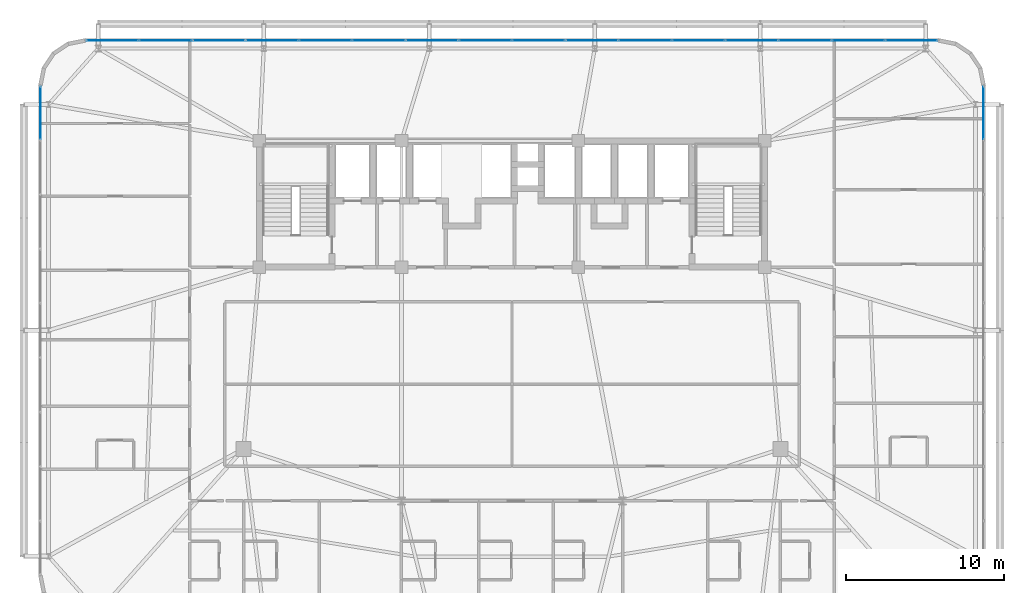
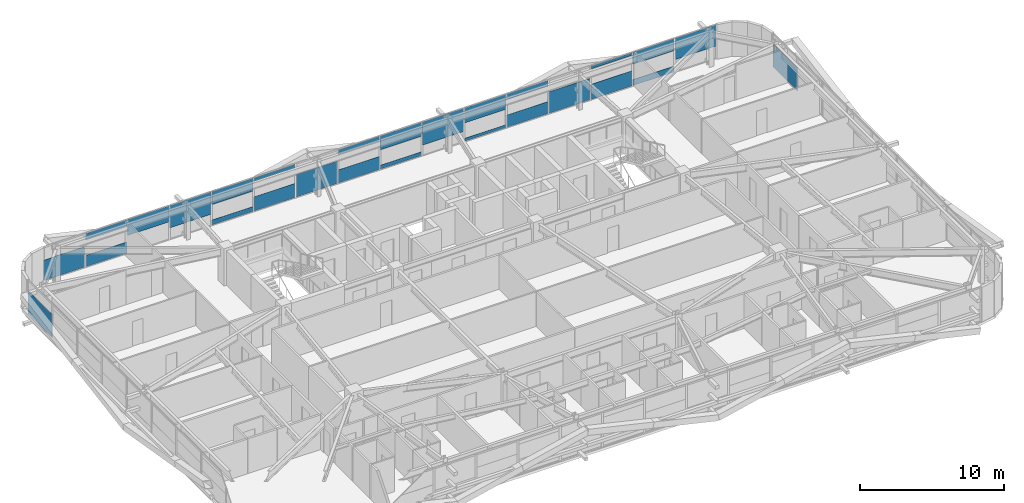
# One storey, part 43 of 59: 27 plates, 3 elements without a shape of their own.
"""IFC4 building model written with IfcOpenShell, lengths in metres."""

from ifc_helpers import new_model, si_unit, direction, frame, origin, origin_2d, place, context, subcontext, project, spatial, rectangle, extrude, source, transform, mapped, material, layer, layer_set, type_object, element, aggregate, save


model = new_model("IFC4")

# Units and contexts
model_context = context("Model", 3, precision=1e-05, world=origin(), true_north=direction((0.0, 1.0)))
body_context = subcontext(model_context, "Body", "Model", "MODEL_VIEW")
ifc_project = project(units=[si_unit("LENGTHUNIT", "METRE"), si_unit("AREAUNIT", "SQUARE_METRE"), si_unit("VOLUMEUNIT", "CUBIC_METRE"), si_unit("PLANEANGLEUNIT", "RADIAN"), si_unit("MASSUNIT", "GRAM", prefix="KILO")], contexts=[model_context])

# Site, building, storey
site_placement = place(None, origin())
site = spatial("IfcSite", under=ifc_project, at=site_placement, CompositionType="ELEMENT")
building_placement = place(site_placement, origin())
building = spatial("IfcBuilding", under=site, at=building_placement, Name="Taldren Reach Tower", CompositionType="ELEMENT")
storey_placement = place(building_placement, frame((0.0, 0.0, 19.949951171875)))
storey = spatial("IfcBuildingStorey", under=building, at=storey_placement, Name="L05", CompositionType="ELEMENT", Elevation=19.949951171875)

# Curtain wall, plates
ifc_material_1 = material(Name="Aluminium and Low-E Glass Unitised System", Category="aluminium")
ifc_layer_1 = layer(ifc_material_1, 0.159912109375)
ifc_layer_set_1 = layer_set([ifc_layer_1], Name="Aluminium and Low-E Glass Unitised System")
curtain_wall_type = type_object("IfcCurtainWallType", Name="CW-SYS-2", PredefinedType="NOTDEFINED", material=ifc_layer_set_1)
curtain_wall_1_placement = place(storey_placement, origin())
curtain_wall_1 = element("IfcCurtainWall", 1, at=curtain_wall_1_placement, inside=storey, type_object=curtain_wall_type, Name="Unitised curtain wall CW-L05-N", PredefinedType="NOTDEFINED")
ifc_material_2 = material(Name="Solar-Control Double Glazed IGU", Category="glass")
ifc_layer_2 = layer(ifc_material_2, 0.031982421875)
ifc_layer_set_2 = layer_set([ifc_layer_2], Name="Solar-Control Double Glazed IGU")
plate_type = type_object("IfcPlateType", Name="CW-PNL-IGU32", PredefinedType="CURTAIN_PANEL", material=ifc_layer_set_2)
shared_shape_1 = source(origin(), body_context, "Body", "SweptSolid", [
    extrude(rectangle(XDim=3.277587890625, YDim=0.031982421875, at=origin_2d()), origin(), (0.0, 0.0, 1.0), 1.73876953125),
])
plate_1_placement = place(storey_placement, frame((9.703857421875, 38.360107421875, 0.054931640625), z_axis=(0.0, 0.0, 1.0), x_axis=(-1.0, 0.0, 0.0)))
plate_1 = element("IfcPlate", 2, at=plate_1_placement, type_object=plate_type, Name="CW-2 panel 16.1 part 1", PredefinedType="CURTAIN_PANEL", context=body_context, shape_type="MappedRepresentation", body=[
    mapped(shared_shape_1, transform((0.0, 0.0, 0.0), scale=1.0)),
])
shared_shape_2 = source(origin(), body_context, "Body", "SweptSolid", [
    extrude(rectangle(XDim=3.31005859375, YDim=0.031982421875, at=origin_2d()), origin(), (0.0, 0.0, 1.0), 0.9560546875),
])
plate_2_placement = place(storey_placement, frame((13.0625, 38.360107421875, 0.05517578125), z_axis=(0.0, 0.0, 1.0), x_axis=(-1.0, 0.0, 0.0)))
plate_2 = element("IfcPlate", 3, at=plate_2_placement, type_object=plate_type, Name="CW-2 panel 15.1 part 1", PredefinedType="CURTAIN_PANEL", context=body_context, shape_type="MappedRepresentation", body=[
    mapped(shared_shape_2, transform((0.0, 0.0, 0.0), scale=1.0)),
])
shared_shape_3 = source(origin(), body_context, "Body", "SweptSolid", [
    extrude(rectangle(XDim=3.31005859375, YDim=0.031982421875, at=origin_2d()), origin(), (0.0, 0.0, 1.0), 0.562744140625),
])
plate_3_placement = place(storey_placement, frame((13.0625, 38.360107421875, 2.3125), z_axis=(0.0, 0.0, 1.0), x_axis=(-1.0, 0.0, 0.0)))
plate_3 = element("IfcPlate", 4, at=plate_3_placement, type_object=plate_type, Name="CW-2 panel 15.1 part 2", PredefinedType="CURTAIN_PANEL", context=body_context, shape_type="MappedRepresentation", body=[
    mapped(shared_shape_3, transform((0.0, 0.0, 0.0), scale=1.0)),
])
shared_shape_4 = source(origin(), body_context, "Body", "SweptSolid", [
    extrude(rectangle(XDim=3.31005859375, YDim=0.031982421875, at=origin_2d()), origin(), (0.0, 0.0, 1.0), 1.345458984375),
])
plate_4_placement = place(storey_placement, frame((16.4375, 38.360107421875, 1.52978515625), z_axis=(0.0, 0.0, 1.0), x_axis=(-1.0, 0.0, 0.0)))
plate_4 = element("IfcPlate", 5, at=plate_4_placement, type_object=plate_type, Name="CW-2 panel 14.1 part 1", PredefinedType="CURTAIN_PANEL", context=body_context, shape_type="MappedRepresentation", body=[
    mapped(shared_shape_4, transform((0.0, 0.0, 0.0), scale=1.0)),
])
shared_shape_5 = source(origin(), body_context, "Body", "SweptSolid", [
    extrude(rectangle(XDim=3.31005859375, YDim=0.031982421875, at=origin_2d()), origin(), (0.0, 0.0, 1.0), 1.881103515625),
])
plate_5_placement = place(storey_placement, frame((19.8125, 38.360107421875, 0.994140625), z_axis=(0.0, 0.0, 1.0), x_axis=(-1.0, 0.0, 0.0)))
plate_5 = element("IfcPlate", 6, at=plate_5_placement, type_object=plate_type, Name="CW-2 panel 13.1 part 1", PredefinedType="CURTAIN_PANEL", context=body_context, shape_type="MappedRepresentation", body=[
    mapped(shared_shape_5, transform((0.0, 0.0, 0.0), scale=1.0)),
])
shared_shape_6 = source(origin(), body_context, "Body", "SweptSolid", [
    extrude(rectangle(XDim=3.31005859375, YDim=0.031982421875, at=origin_2d()), origin(), (0.0, 0.0, 1.0), 0.42041015625),
])
plate_6_placement = place(storey_placement, frame((23.1875, 38.360107421875, 0.05517578125), z_axis=(0.0, 0.0, 1.0), x_axis=(-1.0, 0.0, 0.0)))
plate_6 = element("IfcPlate", 7, at=plate_6_placement, type_object=plate_type, Name="CW-2 panel 12.1 part 1", PredefinedType="CURTAIN_PANEL", context=body_context, shape_type="MappedRepresentation", body=[
    mapped(shared_shape_6, transform((0.0, 0.0, 0.0), scale=1.0)),
])
shared_shape_7 = source(origin(), body_context, "Body", "SweptSolid", [
    extrude(rectangle(XDim=3.31005859375, YDim=0.031982421875, at=origin_2d()), origin(), (0.0, 0.0, 1.0), 1.098388671875),
])
plate_7_placement = place(storey_placement, frame((23.1875, 38.360107421875, 1.77685546875), z_axis=(0.0, 0.0, 1.0), x_axis=(-1.0, 0.0, 0.0)))
plate_7 = element("IfcPlate", 8, at=plate_7_placement, type_object=plate_type, Name="CW-2 panel 12.1 part 2", PredefinedType="CURTAIN_PANEL", context=body_context, shape_type="MappedRepresentation", body=[
    mapped(shared_shape_7, transform((0.0, 0.0, 0.0), scale=1.0)),
])
shared_shape_8 = source(origin(), body_context, "Body", "SweptSolid", [
    extrude(rectangle(XDim=3.31005859375, YDim=0.031982421875, at=origin_2d()), origin(), (0.0, 0.0, 1.0), 1.203125),
])
plate_8_placement = place(storey_placement, frame((26.5625, 38.360107421875, 0.054931640625), z_axis=(0.0, 0.0, 1.0), x_axis=(-1.0, 0.0, 0.0)))
plate_8 = element("IfcPlate", 9, at=plate_8_placement, type_object=plate_type, Name="CW-2 panel 11.1 part 1", PredefinedType="CURTAIN_PANEL", context=body_context, shape_type="MappedRepresentation", body=[
    mapped(shared_shape_8, transform((0.0, 0.0, 0.0), scale=1.0)),
])
shared_shape_9 = source(origin(), body_context, "Body", "SweptSolid", [
    extrude(rectangle(XDim=3.31005859375, YDim=0.031982421875, at=origin_2d()), origin(), (0.0, 0.0, 1.0), 0.31591796875),
])
plate_9_placement = place(storey_placement, frame((26.5625, 38.360107421875, 2.55908203125), z_axis=(0.0, 0.0, 1.0), x_axis=(-1.0, 0.0, 0.0)))
plate_9 = element("IfcPlate", 10, at=plate_9_placement, type_object=plate_type, Name="CW-2 panel 11.1 part 2", PredefinedType="CURTAIN_PANEL", context=body_context, shape_type="MappedRepresentation", body=[
    mapped(shared_shape_9, transform((0.0, 0.0, 0.0), scale=1.0)),
])
shared_shape_10 = source(origin(), body_context, "Body", "SweptSolid", [
    extrude(rectangle(XDim=3.31005859375, YDim=0.031982421875, at=origin_2d()), origin(), (0.0, 0.0, 1.0), 1.9033203125),
])
plate_10_placement = place(storey_placement, frame((29.9375, 38.360107421875, 0.05517578125), z_axis=(0.0, 0.0, 1.0), x_axis=(-1.0, 0.0, 0.0)))
plate_10 = element("IfcPlate", 11, at=plate_10_placement, type_object=plate_type, Name="CW-2 panel 10.1 part 1", PredefinedType="CURTAIN_PANEL", context=body_context, shape_type="MappedRepresentation", body=[
    mapped(shared_shape_10, transform((0.0, 0.0, 0.0), scale=1.0)),
])
shared_shape_11 = source(origin(), body_context, "Body", "SweptSolid", [
    extrude(rectangle(XDim=3.31005859375, YDim=0.031982421875, at=origin_2d()), origin(), (0.0, 0.0, 1.0), 1.120849609375),
])
plate_11_placement = place(storey_placement, frame((33.3125, 38.360107421875, 0.05517578125), z_axis=(0.0, 0.0, 1.0), x_axis=(-1.0, 0.0, 0.0)))
plate_11 = element("IfcPlate", 12, at=plate_11_placement, type_object=plate_type, Name="CW-2 panel 9.1 part 1", PredefinedType="CURTAIN_PANEL", context=body_context, shape_type="MappedRepresentation", body=[
    mapped(shared_shape_11, transform((0.0, 0.0, 0.0), scale=1.0)),
])
shared_shape_12 = source(origin(), body_context, "Body", "SweptSolid", [
    extrude(rectangle(XDim=3.31005859375, YDim=0.031982421875, at=origin_2d()), origin(), (0.0, 0.0, 1.0), 0.398193359375),
])
plate_12_placement = place(storey_placement, frame((33.3125, 38.360107421875, 2.47705078125), z_axis=(0.0, 0.0, 1.0), x_axis=(-1.0, 0.0, 0.0)))
plate_12 = element("IfcPlate", 13, at=plate_12_placement, type_object=plate_type, Name="CW-2 panel 9.1 part 2", PredefinedType="CURTAIN_PANEL", context=body_context, shape_type="MappedRepresentation", body=[
    mapped(shared_shape_12, transform((0.0, 0.0, 0.0), scale=1.0)),
])
shared_shape_13 = source(origin(), body_context, "Body", "SweptSolid", [
    extrude(rectangle(XDim=3.31005859375, YDim=0.031982421875, at=origin_2d()), origin(), (0.0, 0.0, 1.0), 0.338134765625),
])
plate_13_placement = place(storey_placement, frame((36.6875, 38.360107421875, 0.05517578125), z_axis=(0.0, 0.0, 1.0), x_axis=(-1.0, 0.0, 0.0)))
plate_13 = element("IfcPlate", 14, at=plate_13_placement, type_object=plate_type, Name="CW-2 panel 8.1 part 1", PredefinedType="CURTAIN_PANEL", context=body_context, shape_type="MappedRepresentation", body=[
    mapped(shared_shape_13, transform((0.0, 0.0, 0.0), scale=1.0)),
])
shared_shape_14 = source(origin(), body_context, "Body", "SweptSolid", [
    extrude(rectangle(XDim=3.31005859375, YDim=0.031982421875, at=origin_2d()), origin(), (0.0, 0.0, 1.0), 1.1806640625),
])
plate_14_placement = place(storey_placement, frame((36.6875, 38.360107421875, 1.6943359375), z_axis=(0.0, 0.0, 1.0), x_axis=(-1.0, 0.0, 0.0)))
plate_14 = element("IfcPlate", 15, at=plate_14_placement, type_object=plate_type, Name="CW-2 panel 8.1 part 2", PredefinedType="CURTAIN_PANEL", context=body_context, shape_type="MappedRepresentation", body=[
    mapped(shared_shape_14, transform((0.0, 0.0, 0.0), scale=1.0)),
])
shared_shape_15 = source(origin(), body_context, "Body", "SweptSolid", [
    extrude(rectangle(XDim=3.31005859375, YDim=0.031982421875, at=origin_2d()), origin(), (0.0, 0.0, 1.0), 1.96337890625),
])
plate_15_placement = place(storey_placement, frame((40.0625, 38.360107421875, 0.91162109375), z_axis=(0.0, 0.0, 1.0), x_axis=(-1.0, 0.0, 0.0)))
plate_15 = element("IfcPlate", 16, at=plate_15_placement, type_object=plate_type, Name="CW-2 panel 7.1 part 1", PredefinedType="CURTAIN_PANEL", context=body_context, shape_type="MappedRepresentation", body=[
    mapped(shared_shape_15, transform((0.0, 0.0, 0.0), scale=1.0)),
])
shared_shape_16 = source(origin(), body_context, "Body", "SweptSolid", [
    extrude(rectangle(XDim=3.31005859375, YDim=0.031982421875, at=origin_2d()), origin(), (0.0, 0.0, 1.0), 0.255859375),
])
plate_16_placement = place(storey_placement, frame((43.4375, 38.360107421875, 0.05517578125), z_axis=(0.0, 0.0, 1.0), x_axis=(-1.0, 0.0, 0.0)))
plate_16 = element("IfcPlate", 17, at=plate_16_placement, type_object=plate_type, Name="CW-2 panel 6.1 part 1", PredefinedType="CURTAIN_PANEL", context=body_context, shape_type="MappedRepresentation", body=[
    mapped(shared_shape_16, transform((0.0, 0.0, 0.0), scale=1.0)),
])
shared_shape_17 = source(origin(), body_context, "Body", "SweptSolid", [
    extrude(rectangle(XDim=3.31005859375, YDim=0.031982421875, at=origin_2d()), origin(), (0.0, 0.0, 1.0), 1.26318359375),
])
plate_17_placement = place(storey_placement, frame((43.4375, 38.360107421875, 1.61181640625), z_axis=(0.0, 0.0, 1.0), x_axis=(-1.0, 0.0, 0.0)))
plate_17 = element("IfcPlate", 18, at=plate_17_placement, type_object=plate_type, Name="CW-2 panel 6.1 part 2", PredefinedType="CURTAIN_PANEL", context=body_context, shape_type="MappedRepresentation", body=[
    mapped(shared_shape_17, transform((0.0, 0.0, 0.0), scale=1.0)),
])
shared_shape_18 = source(origin(), body_context, "Body", "SweptSolid", [
    extrude(rectangle(XDim=3.31005859375, YDim=0.031982421875, at=origin_2d()), origin(), (0.0, 0.0, 1.0), 1.03857421875),
])
plate_18_placement = place(storey_placement, frame((46.8125, 38.360107421875, 0.054931640625), z_axis=(0.0, 0.0, 1.0), x_axis=(-1.0, 0.0, 0.0)))
plate_18 = element("IfcPlate", 19, at=plate_18_placement, type_object=plate_type, Name="CW-2 panel 5.1 part 1", PredefinedType="CURTAIN_PANEL", context=body_context, shape_type="MappedRepresentation", body=[
    mapped(shared_shape_18, transform((0.0, 0.0, 0.0), scale=1.0)),
])
shared_shape_19 = source(origin(), body_context, "Body", "SweptSolid", [
    extrude(rectangle(XDim=3.31005859375, YDim=0.031982421875, at=origin_2d()), origin(), (0.0, 0.0, 1.0), 0.48046875),
])
plate_19_placement = place(storey_placement, frame((46.8125, 38.360107421875, 2.39453125), z_axis=(0.0, 0.0, 1.0), x_axis=(-1.0, 0.0, 0.0)))
plate_19 = element("IfcPlate", 20, at=plate_19_placement, type_object=plate_type, Name="CW-2 panel 5.1 part 2", PredefinedType="CURTAIN_PANEL", context=body_context, shape_type="MappedRepresentation", body=[
    mapped(shared_shape_19, transform((0.0, 0.0, 0.0), scale=1.0)),
])
shared_shape_20 = source(origin(), body_context, "Body", "SweptSolid", [
    extrude(rectangle(XDim=3.31005859375, YDim=0.031982421875, at=origin_2d()), origin(), (0.0, 0.0, 1.0), 1.821044921875),
])
plate_20_placement = place(storey_placement, frame((50.1875, 38.360107421875, 0.05517578125), z_axis=(0.0, 0.0, 1.0), x_axis=(-1.0, 0.0, 0.0)))
plate_20 = element("IfcPlate", 21, at=plate_20_placement, type_object=plate_type, Name="CW-2 panel 4.1 part 1", PredefinedType="CURTAIN_PANEL", context=body_context, shape_type="MappedRepresentation", body=[
    mapped(shared_shape_20, transform((0.0, 0.0, 0.0), scale=1.0)),
])
shared_shape_21 = source(origin(), body_context, "Body", "SweptSolid", [
    extrude(rectangle(XDim=3.31005859375, YDim=0.031982421875, at=origin_2d()), origin(), (0.0, 0.0, 1.0), 1.285400390625),
])
plate_21_placement = place(storey_placement, frame((53.5625, 38.360107421875, 0.05517578125), z_axis=(0.0, 0.0, 1.0), x_axis=(-1.0, 0.0, 0.0)))
plate_21 = element("IfcPlate", 22, at=plate_21_placement, type_object=plate_type, Name="CW-2 panel 3.1 part 1", PredefinedType="CURTAIN_PANEL", context=body_context, shape_type="MappedRepresentation", body=[
    mapped(shared_shape_21, transform((0.0, 0.0, 0.0), scale=1.0)),
])
shared_shape_22 = source(origin(), body_context, "Body", "SweptSolid", [
    extrude(rectangle(XDim=3.31005859375, YDim=0.031982421875, at=origin_2d()), origin(), (0.0, 0.0, 1.0), 0.233642578125),
])
plate_22_placement = place(storey_placement, frame((53.5625, 38.360107421875, 2.6416015625), z_axis=(0.0, 0.0, 1.0), x_axis=(-1.0, 0.0, 0.0)))
plate_22 = element("IfcPlate", 23, at=plate_22_placement, type_object=plate_type, Name="CW-2 panel 3.1 part 2", PredefinedType="CURTAIN_PANEL", context=body_context, shape_type="MappedRepresentation", body=[
    mapped(shared_shape_22, transform((0.0, 0.0, 0.0), scale=1.0)),
])
shared_shape_23 = source(origin(), body_context, "Body", "SweptSolid", [
    extrude(rectangle(XDim=3.31005859375, YDim=0.031982421875, at=origin_2d()), origin(), (0.0, 0.0, 1.0), 0.5029296875),
])
plate_23_placement = place(storey_placement, frame((56.9375, 38.360107421875, 0.054931640625), z_axis=(0.0, 0.0, 1.0), x_axis=(-1.0, 0.0, 0.0)))
plate_23 = element("IfcPlate", 24, at=plate_23_placement, type_object=plate_type, Name="CW-2 panel 2.1 part 1", PredefinedType="CURTAIN_PANEL", context=body_context, shape_type="MappedRepresentation", body=[
    mapped(shared_shape_23, transform((0.0, 0.0, 0.0), scale=1.0)),
])
shared_shape_24 = source(origin(), body_context, "Body", "SweptSolid", [
    extrude(rectangle(XDim=3.31005859375, YDim=0.031982421875, at=origin_2d()), origin(), (0.0, 0.0, 1.0), 1.01611328125),
])
plate_24_placement = place(storey_placement, frame((56.9375, 38.360107421875, 1.85888671875), z_axis=(0.0, 0.0, 1.0), x_axis=(-1.0, 0.0, 0.0)))
plate_24 = element("IfcPlate", 25, at=plate_24_placement, type_object=plate_type, Name="CW-2 panel 2.1 part 2", PredefinedType="CURTAIN_PANEL", context=body_context, shape_type="MappedRepresentation", body=[
    mapped(shared_shape_24, transform((0.0, 0.0, 0.0), scale=1.0)),
])
shared_shape_25 = source(origin(), body_context, "Body", "SweptSolid", [
    extrude(rectangle(XDim=3.277587890625, YDim=0.031982421875, at=origin_2d()), origin(), (0.0, 0.0, 1.0), 1.798583984375),
])
plate_25_placement = place(storey_placement, frame((60.296142578125, 38.360107421875, 1.076171875), z_axis=(0.0, 0.0, 1.0), x_axis=(-1.0, 0.0, 0.0)))
plate_25 = element("IfcPlate", 26, at=plate_25_placement, type_object=plate_type, Name="CW-2 panel 1.1 part 1", PredefinedType="CURTAIN_PANEL", context=body_context, shape_type="MappedRepresentation", body=[
    mapped(shared_shape_25, transform((0.0, 0.0, 0.0), scale=1.0)),
])
aggregate(curtain_wall_1, [plate_25, plate_23, plate_24, plate_21, plate_22, plate_20, plate_18, plate_19, plate_16, plate_17, plate_15, plate_13, plate_14, plate_11, plate_12, plate_10, plate_8, plate_9, plate_6, plate_7, plate_5, plate_4, plate_2, plate_3, plate_1])

# Curtain wall, plate
curtain_wall_2_placement = place(storey_placement, origin())
curtain_wall_2 = element("IfcCurtainWall", 27, at=curtain_wall_2_placement, inside=storey, type_object=curtain_wall_type, Name="Unitised curtain wall CW-L05-W", PredefinedType="NOTDEFINED")
shared_shape_26 = source(origin(), body_context, "Body", "SweptSolid", [
    extrude(rectangle(XDim=3.346923828125, YDim=0.031982421875, at=origin_2d()), origin(), (0.0, 0.0, 1.0), 1.95556640625),
])
plate_26_placement = place(storey_placement, frame((5.139892578125, 33.761474609375, 0.054931640625), z_axis=(0.0, 0.0, 1.0), x_axis=(0.0, -1.0, 0.0)))
plate_26 = element("IfcPlate", 28, at=plate_26_placement, type_object=plate_type, Name="CW-2 panel 1.1 part 1", PredefinedType="CURTAIN_PANEL", context=body_context, shape_type="MappedRepresentation", body=[
    mapped(shared_shape_26, transform((0.0, 0.0, 0.0), scale=1.0)),
])
aggregate(curtain_wall_2, [plate_26])

curtain_wall_3_placement = place(storey_placement, origin())
curtain_wall_3 = element("IfcCurtainWall", 29, at=curtain_wall_3_placement, inside=storey, type_object=curtain_wall_type, Name="Unitised curtain wall CW-L05-E", PredefinedType="NOTDEFINED")
plate_27_placement = place(storey_placement, frame((64.860107421875, 33.761474609375, 0.054931640625), z_axis=(0.0, 0.0, 1.0), x_axis=(0.0, 1.0, 0.0)))
plate_27 = element("IfcPlate", 30, at=plate_27_placement, type_object=plate_type, Name="CW-2 panel 9.1 part 1", PredefinedType="CURTAIN_PANEL", context=body_context, shape_type="MappedRepresentation", body=[
    mapped(shared_shape_26, transform((0.0, 0.0, 0.0), scale=1.0)),
])
aggregate(curtain_wall_3, [plate_27])

save(model, "model.ifc")
